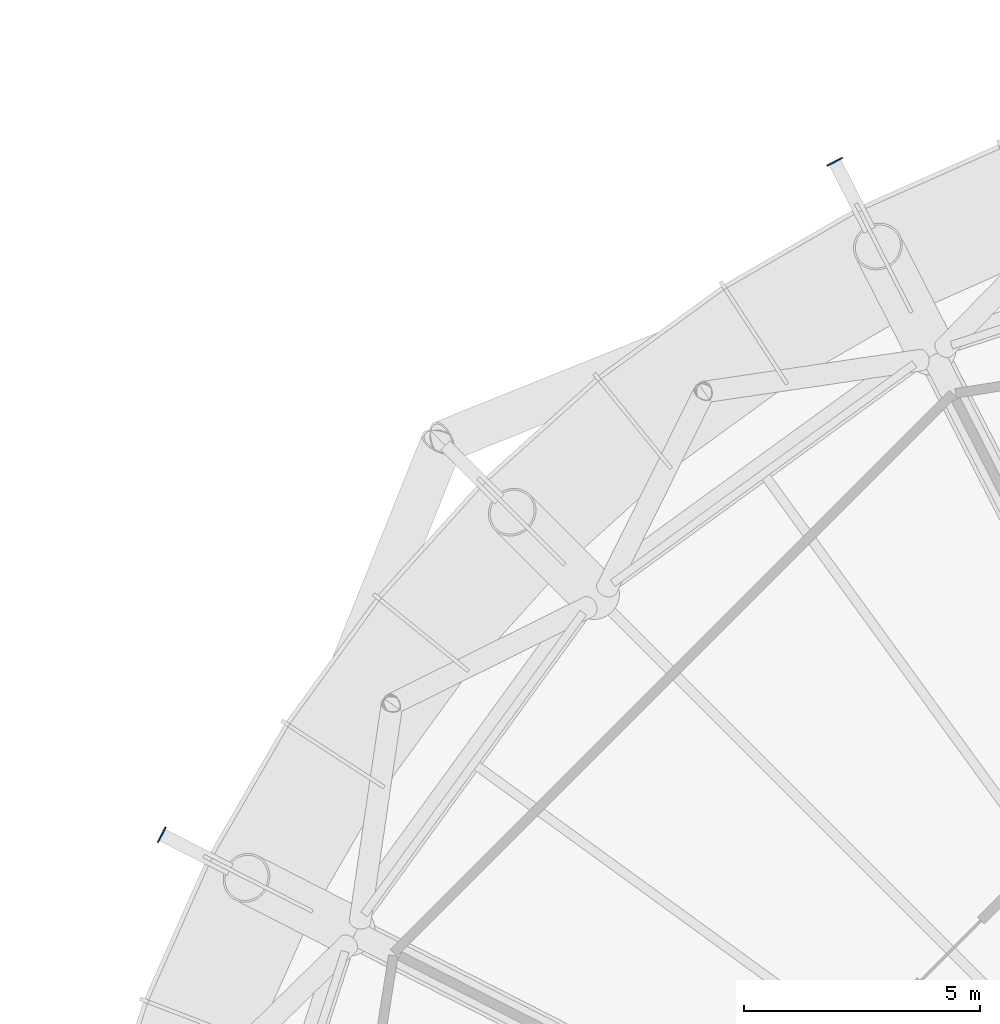
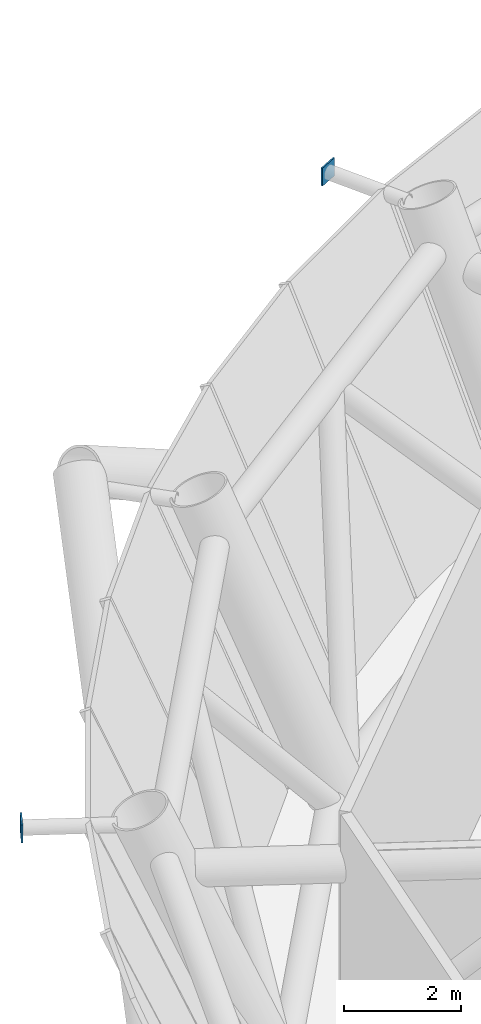
# One storey, part 16 of 20: 2 discrete accessories.
"""IFC4 building model written with IfcOpenShell, lengths in metres."""

import ifcopenshell
import ifcopenshell.guid

model = None  # the IFC model being written
_history = None  # IfcOwnerHistory: only IFC2X3 demands one
_inside = {}  # id of a spatial element -> (the spatial element, [elements in it])
_under = {}  # id of a project, library or spatial element -> (it, [spatial elements below it])
_declared = {}  # id of a project -> (the project, [libraries it declares])
_typed = {}  # id of a type object -> (the type object, [elements of that type])
_made_of = {}  # id of a material, layer set ... -> (it, [elements and type objects made of it])


def new_model(schema):
    """Start an empty IFC model of exactly this schema.

    Asked for "IFC4X3", IfcOpenShell would pick the latest addendum, in which some entities
    have other attributes; the version numbers below select the first issue.
    IFC2X3 requires an IfcOwnerHistory on every rooted entity: one is made here for all.
    """
    global model, _history
    if schema == "IFC4X3":
        model = ifcopenshell.file(schema_version=(4, 3, 0, 0))
    else:
        model = ifcopenshell.file(schema=schema)
    _inside.clear()
    _under.clear()
    _declared.clear()
    _typed.clear()
    _made_of.clear()
    _history = None
    if model.schema == "IFC2X3":
        org = make("IfcOrganization", Name="unknown")
        user = make(
            "IfcPersonAndOrganization",
            ThePerson=make("IfcPerson", FamilyName="unknown"),
            TheOrganization=org,
        )
        app = make(
            "IfcApplication",
            ApplicationDeveloper=org,
            Version="unknown",
            ApplicationFullName="unknown",
            ApplicationIdentifier="unknown",
        )
        _history = make(
            "IfcOwnerHistory",
            OwningUser=user,
            OwningApplication=app,
            ChangeAction="ADDED",
            CreationDate=0,
        )
    return model


def make(cls, **values):
    """One entity of the class cls with the attributes given. An attribute that is None is left unset."""
    return model.create_entity(
        cls, **{name: value for name, value in values.items() if value is not None}
    )


def rooted(cls, **values):
    """An entity with a GlobalId (a new one), such as an element, a storey or a relation."""
    return make(cls, GlobalId=ifcopenshell.guid.new(), OwnerHistory=_history, **values)


def si_unit(unit_type, name, prefix=None):
    """IfcSIUnit, for example si_unit("LENGTHUNIT", "METRE", prefix="MILLI")."""
    return make("IfcSIUnit", UnitType=unit_type, Prefix=prefix, Name=name)


def assignment(units):
    """IfcUnitAssignment: the units of a project."""
    return None if units is None else make("IfcUnitAssignment", Units=units)


def point(xyz):
    """IfcCartesianPoint."""
    return None if xyz is None else make("IfcCartesianPoint", Coordinates=xyz)


def direction(xyz):
    """IfcDirection."""
    return None if xyz is None else make("IfcDirection", DirectionRatios=xyz)


def frame(location, z_axis=None, x_axis=None):
    """IfcAxis2Placement3D, a coordinate frame: its origin and axes. An axis left out is left unset."""
    return make(
        "IfcAxis2Placement3D",
        Location=point(location),
        Axis=direction(z_axis),
        RefDirection=direction(x_axis),
    )


def frame_2d(location, x_axis=None):
    """IfcAxis2Placement2D, a coordinate frame in the plane: its origin and x axis."""
    return make(
        "IfcAxis2Placement2D", Location=point(location), RefDirection=direction(x_axis)
    )


def origin():
    """The frame at (0, 0, 0) with its axes left unset."""
    return frame((0.0, 0.0, 0.0))


def origin_2d():
    """The frame at (0, 0) in the plane with its x axis left unset."""
    return frame_2d((0.0, 0.0))


def place(relative_to, where):
    """IfcLocalPlacement: puts the frame where relative to a parent placement (None: the world)."""
    return make(
        "IfcLocalPlacement", PlacementRelTo=relative_to, RelativePlacement=where
    )


def context(
    kind, dimensions, precision=None, world=None, true_north=None, identifier=None
):
    """IfcGeometricRepresentationContext, for example the 3D "Model" context."""
    return make(
        "IfcGeometricRepresentationContext",
        ContextIdentifier=identifier,
        ContextType=kind,
        CoordinateSpaceDimension=dimensions,
        Precision=precision,
        WorldCoordinateSystem=world,
        TrueNorth=true_north,
    )


def subcontext(parent, identifier, kind, view, scale=None):
    """IfcGeometricRepresentationSubContext, for example "Body" below "Model"."""
    return make(
        "IfcGeometricRepresentationSubContext",
        ContextIdentifier=identifier,
        ContextType=kind,
        ParentContext=parent,
        TargetScale=scale,
        TargetView=view,
    )


def project(units=None, contexts=None):
    """IfcProject with its units and contexts."""
    return rooted(
        "IfcProject",
        Name="project",
        RepresentationContexts=contexts,
        UnitsInContext=assignment(units),
    )


def spatial(cls, under=None, at=None, **own):
    """A site, building, storey or space (cls), placed at a placement, below another one or the project."""
    s = rooted(cls, ObjectPlacement=at, **own)
    if under is not None:
        _under.setdefault(under.id(), (under, []))[1].append(s)
    return s


def profile(cls, at=None, kind="AREA", **sizes):
    """A parametric profile (cls). Its sizes go by their IFC names, for example OverallWidth=200.0."""
    return make(cls, ProfileType=kind, Position=at, **sizes)


def rectangle(**sizes):
    """IfcRectangleProfileDef."""
    return profile("IfcRectangleProfileDef", **sizes)


def extrude(swept, where, along, depth):
    """IfcExtrudedAreaSolid: the profile swept, set in the frame where, extruded along a direction by depth."""
    return make(
        "IfcExtrudedAreaSolid",
        SweptArea=swept,
        Position=where,
        ExtrudedDirection=direction(along),
        Depth=depth,
    )


def shape(context_of_items, identifier, shape_type, items):
    """IfcShapeRepresentation: the items that make up one representation, for example the "Body"."""
    return make(
        "IfcShapeRepresentation",
        ContextOfItems=context_of_items,
        RepresentationIdentifier=identifier,
        RepresentationType=shape_type,
        Items=items,
    )


def material(Name=None, Category=None):
    """IfcMaterial."""
    return make("IfcMaterial", Name=Name, Category=Category)


def made_of(thing, what):
    """Note that an element or type object is made of a material, layer set ...; save() writes the relation."""
    if what is not None:
        _made_of.setdefault(what.id(), (what, []))[1].append(thing)
    return thing


def element(
    cls,
    number,
    at=None,
    inside=None,
    cuts=None,
    type_object=None,
    material=None,
    context=None,
    identifier="Body",
    shape_type=None,
    held_by="IfcProductDefinitionShape",
    body=None,
    shapes=None,
    **own,
):
    """One element of the class cls, such as IfcWall. Its Tag is "e" and its number.

    at: its placement. inside: the storey or other place that contains it. cuts: it is an
    opening in that element (IfcRelVoidsElement). A single representation is given by context,
    identifier, shape_type and body (its items); several are given by shapes. held_by: the class
    of the entity that holds the representations. save() writes the other relations.
    """
    e = rooted(cls, Tag="e%d" % number, ObjectPlacement=at, **own)
    if body is not None:
        shapes = [shape(context, identifier, shape_type, body)]
    if shapes is not None:
        e.Representation = make(held_by, Representations=shapes)
    if inside is not None:
        _inside.setdefault(inside.id(), (inside, []))[1].append(e)
    if cuts is not None:
        rooted(
            "IfcRelVoidsElement", RelatingBuildingElement=cuts, RelatedOpeningElement=e
        )
    if type_object is not None:
        _typed.setdefault(type_object.id(), (type_object, []))[1].append(e)
    return made_of(e, material)


def aggregate(whole, parts):
    """IfcRelAggregates: a whole, such as a stair, and the parts it consists of."""
    return rooted("IfcRelAggregates", RelatingObject=whole, RelatedObjects=parts)


def save(model, path):
    """Write the relations noted so far, then the file.

    IfcRelAggregates (storeys below a building ...), IfcRelContainedInSpatialStructure (elements
    in a storey), IfcRelDefinesByType, IfcRelAssociatesMaterial and IfcRelDeclares: one each for
    every whole, place, type object, material and project.
    """
    for whole, parts in _under.values():
        aggregate(whole, parts)
    for where, things in _inside.values():
        rooted(
            "IfcRelContainedInSpatialStructure",
            RelatedElements=things,
            RelatingStructure=where,
        )
    for kind, things in _typed.values():
        rooted("IfcRelDefinesByType", RelatedObjects=things, RelatingType=kind)
    for what, things in _made_of.values():
        rooted("IfcRelAssociatesMaterial", RelatedObjects=things, RelatingMaterial=what)
    for by, libraries in _declared.values():
        rooted("IfcRelDeclares", RelatingContext=by, RelatedDefinitions=libraries)
    model.write(path)


model = new_model("IFC4")

# Units and contexts
model_context = context("Model", 3, precision=1e-05, world=origin(), true_north=direction((0.0, 1.0)))
body_context = subcontext(model_context, "Body", "Model", "MODEL_VIEW")
ifc_project = project(units=[si_unit("LENGTHUNIT", "METRE"), si_unit("AREAUNIT", "SQUARE_METRE"), si_unit("VOLUMEUNIT", "CUBIC_METRE"), si_unit("PLANEANGLEUNIT", "RADIAN"), si_unit("MASSUNIT", "GRAM", prefix="KILO")], contexts=[model_context])

# Site, building, storey
site_placement = place(None, origin())
site = spatial("IfcSite", under=ifc_project, at=site_placement, CompositionType="ELEMENT")
building_placement = place(site_placement, origin())
building = spatial("IfcBuilding", under=site, at=building_placement, Name="Entoto Ring Tower", CompositionType="ELEMENT")
storey_placement = place(building_placement, frame((0.0, 0.0, 330.0)))
storey = spatial("IfcBuildingStorey", under=building, at=storey_placement, Name="L76", CompositionType="ELEMENT", Elevation=330.0)

# Discrete accessories
ifc_material = material(Name="Steel S355", Category="steel")
for number, where, z_axis, x_axis, name in (
    (1, (75.193115234375, 109.06005859375, 5.52685546875), (0.0, 0.0, 1.0), (-0.45399049974, 0.891006524188, 0.0), "Node strut end plate DS2 ring 25 06"),
    (2, (60.93994140625, 94.806884765625, 5.52685546875), (0.0, 0.0, 1.0), (-0.891006524188, 0.45399049974, 0.0), "Node strut end plate DS2 ring 25 08"),
):
    element("IfcDiscreteAccessory", number, at=place(storey_placement, frame(where, z_axis=z_axis, x_axis=x_axis)), inside=storey, material=ifc_material, Name=name, PredefinedType="BRACKET", context=body_context, shape_type="SweptSolid", body=[
        extrude(rectangle(XDim=0.030029296875, YDim=0.373046875, at=origin_2d()), origin(), (0.0, 0.0, 1.0), 0.373046875),
    ])

save(model, "model.ifc")
